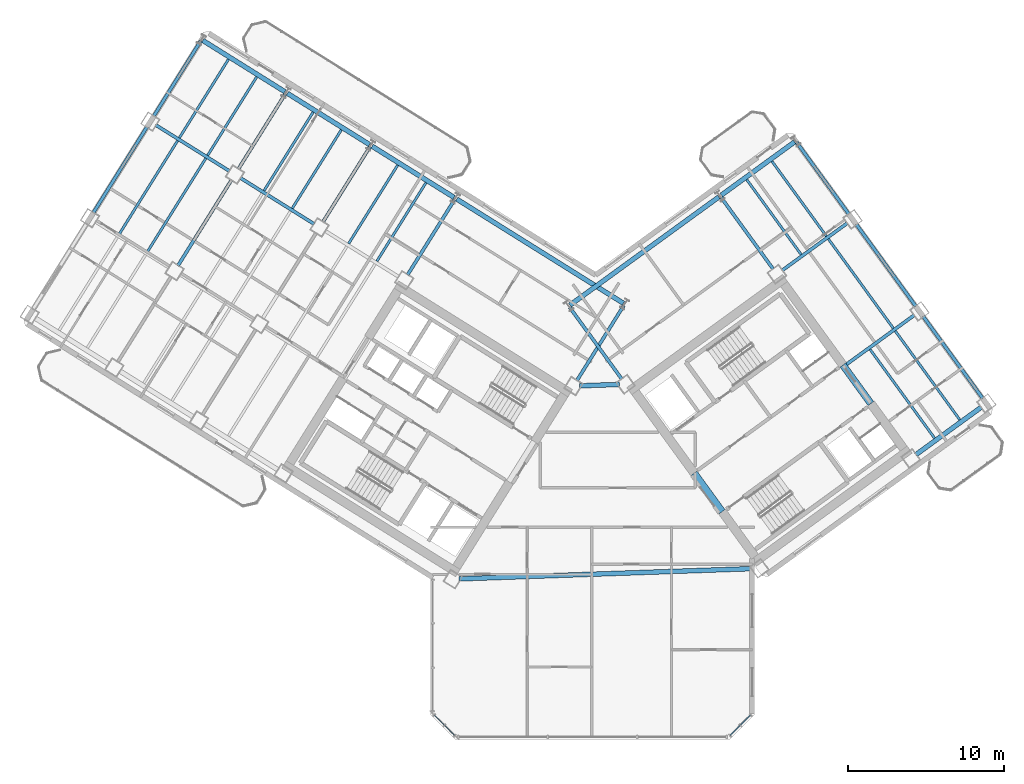
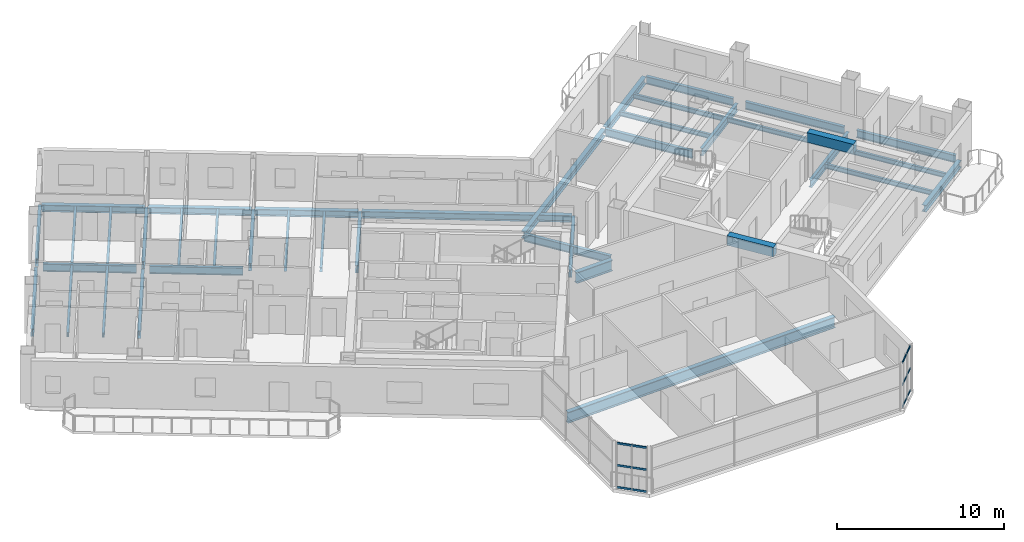
# One storey, part 7 of 20: 40 beams, 12 members, 2 elements without a shape of their own.
"""IFC4 building model written with IfcOpenShell, lengths in metres."""

from ifc_helpers import new_model, si_unit, direction, frame, origin, origin_2d, place, context, subcontext, project, spatial, rectangle, hollow_rectangle, i_section, extrude, source, transform, mapped, material, material_profile, profile_set, type_object, element, aggregate, save


model = new_model("IFC4")

# Units and contexts
model_context = context("Model", 3, precision=1e-05, world=origin(), true_north=direction((0.0, 1.0)))
body_context = subcontext(model_context, "Body", "Model", "MODEL_VIEW")
ifc_project = project(units=[si_unit("LENGTHUNIT", "METRE"), si_unit("AREAUNIT", "SQUARE_METRE"), si_unit("VOLUMEUNIT", "CUBIC_METRE"), si_unit("PLANEANGLEUNIT", "RADIAN"), si_unit("MASSUNIT", "GRAM", prefix="KILO")], contexts=[model_context])

# Site, building, storey
site_placement = place(None, origin())
site = spatial("IfcSite", under=ifc_project, at=site_placement, CompositionType="ELEMENT")
building_placement = place(site_placement, origin())
building = spatial("IfcBuilding", under=site, at=building_placement, Name="Tlacorven Tower", CompositionType="ELEMENT")
storey_placement = place(building_placement, frame((0.0, 0.0, 108.89990234375)))
storey = spatial("IfcBuildingStorey", under=building, at=storey_placement, Name="L27", CompositionType="ELEMENT", Elevation=108.89990234375)

# Beams
ifc_material_1 = material(Name="Concrete C60/75", Category="concrete")
ifc_material_profile_1 = material_profile(ifc_material_1, rectangle(XDim=0.449951171875, YDim=0.699951171875, at=origin_2d()), Name="RC 450X700")
ifc_profile_set_1 = profile_set([ifc_material_profile_1], Name="Concrete C60/75")
beam_type_1 = type_object("IfcBeamType", Name="BM-LNT-700", PredefinedType="LINTEL", material=ifc_profile_set_1)
shared_shape_1 = source(origin(), body_context, "Body", "SweptSolid", [
    extrude(rectangle(XDim=0.449951171875, YDim=0.699951171875, at=origin_2d()), origin(), (0.0, 0.0, 1.0), 3.050048828125),
])
for number, where, z_axis, x_axis, name in (
    (1, (50.318359375, 16.416015625, 3.0), (-0.587776590479, 0.80902328748, 0.0), (-0.80902328748, -0.587776590479, 0.0), "L27 E core coupling lintel beam E1"),
    (2, (59.856689453125, 23.345947265625, 3.0), (-0.587776590479, 0.80902328748, 0.0), (-0.80902328748, -0.587776590479, 0.0), "L27 E core coupling lintel beam E2"),
):
    element("IfcBeam", number, at=place(storey_placement, frame(where, z_axis=z_axis, x_axis=x_axis)), inside=storey, type_object=beam_type_1, Name=name, PredefinedType="LINTEL", context=body_context, shape_type="MappedRepresentation", body=[
        mapped(shared_shape_1, transform((0.0, 0.0, 0.0), scale=1.0)),
    ])
ifc_material_2 = material(Name="Steel S355J2", Category="steel")
ifc_material_profile_2 = material_profile(ifc_material_2, i_section(OverallWidth=0.300048828125, OverallDepth=0.489990234375, WebThickness=0.011962890625, FlangeThickness=0.02294921875, at=origin_2d()), Name="HEA 500")
ifc_profile_set_2 = profile_set([ifc_material_profile_2], Name="Steel S355J2")
beam_type_2 = type_object("IfcBeamType", Name="BM-SPN-500", PredefinedType="SPANDREL", material=ifc_profile_set_2)
shared_shape_2 = source(origin(), body_context, "Body", "SweptSolid", [
    extrude(i_section(OverallWidth=0.300048828125, OverallDepth=0.489990234375, WebThickness=0.011962890625, FlangeThickness=0.02294921875, at=origin_2d()), origin(), (0.0, 0.0, 1.0), 12.599853515625),
])
beam_1_placement = place(storey_placement, frame((43.983642578125, 29.779296875, -0.494873046875), z_axis=(-0.848045108756, 0.529924045043, 0.0), x_axis=(-0.529924045043, -0.848045108756, 0.0)))
element("IfcBeam", 3, at=beam_1_placement, inside=storey, type_object=beam_type_2, Name="L27 beam BM-L27-WL1-1", PredefinedType="SPANDREL", context=body_context, shape_type="MappedRepresentation", body=[
    mapped(shared_shape_2, transform((0.0, 0.0, 0.0), scale=1.0)),
])
shared_shape_3 = source(origin(), body_context, "Body", "SweptSolid", [
    extrude(i_section(OverallWidth=0.300048828125, OverallDepth=0.489990234375, WebThickness=0.011962890625, FlangeThickness=0.02294921875, at=origin_2d()), origin(), (0.0, 0.0, 1.0), 6.199951171875),
])
beam_2_placement = place(storey_placement, frame((33.128662109375, 36.562255859375, -0.494873046875), z_axis=(-0.848051394107, 0.529913986372, 0.0), x_axis=(-0.529913986372, -0.848051394107, 0.0)))
element("IfcBeam", 4, at=beam_2_placement, inside=storey, type_object=beam_type_2, Name="L27 beam BM-L27-WL1-3", PredefinedType="SPANDREL", context=body_context, shape_type="MappedRepresentation", body=[
    mapped(shared_shape_3, transform((0.0, 0.0, 0.0), scale=1.0)),
])
shared_shape_4 = source(origin(), body_context, "Body", "SweptSolid", [
    extrude(i_section(OverallWidth=0.300048828125, OverallDepth=0.489990234375, WebThickness=0.011962890625, FlangeThickness=0.02294921875, at=origin_2d()), origin(), (0.0, 0.0, 1.0), 11.800048828125),
])
beam_3_placement = place(storey_placement, frame((40.560302734375, 29.65966796875, -0.494873046875), z_axis=(0.80900977213, 0.587795192732, 0.0), x_axis=(-0.587795192732, 0.80900977213, 0.0)))
element("IfcBeam", 5, at=beam_3_placement, inside=storey, type_object=beam_type_2, Name="L27 beam BM-L27-EL4-1", PredefinedType="SPANDREL", context=body_context, shape_type="MappedRepresentation", body=[
    mapped(shared_shape_4, transform((0.0, 0.0, 0.0), scale=1.0)),
])
shared_shape_5 = source(origin(), body_context, "Body", "SweptSolid", [
    extrude(i_section(OverallWidth=0.300048828125, OverallDepth=0.489990234375, WebThickness=0.011962890625, FlangeThickness=0.02294921875, at=origin_2d()), origin(), (0.0, 0.0, 1.0), 5.800048828125),
])
beam_4_placement = place(storey_placement, frame((50.2685546875, 36.713134765625, -0.494873046875), z_axis=(0.809019944521, 0.587781191743, 0.0), x_axis=(-0.587781191743, 0.809019944521, 0.0)))
element("IfcBeam", 6, at=beam_4_placement, inside=storey, type_object=beam_type_2, Name="L27 beam BM-L27-EL4-3", PredefinedType="SPANDREL", context=body_context, shape_type="MappedRepresentation", body=[
    mapped(shared_shape_5, transform((0.0, 0.0, 0.0), scale=1.0)),
])
shared_shape_6 = source(origin(), body_context, "Body", "SweptSolid", [
    extrude(i_section(OverallWidth=0.300048828125, OverallDepth=0.489990234375, WebThickness=0.011962890625, FlangeThickness=0.02294921875, at=origin_2d()), origin(), (0.0, 0.0, 1.0), 6.2001953125),
])
for number, where, z_axis, x_axis, name in (
    (7, (27.701171875, 39.95361328125, -0.494873046875), (-0.84804475579, 0.5299246099, 0.0), (-0.5299246099, -0.84804475579, 0.0), "L27 beam BM-L27-WL1-4"),
    (8, (22.273681640625, 43.34521484375, -0.494873046875), (-0.848062451332, 0.529896290457, 0.0), (-0.529896290457, -0.848062451332, 0.0), "L27 beam BM-L27-WL1-5"),
):
    element("IfcBeam", number, at=place(storey_placement, frame(where, z_axis=z_axis, x_axis=x_axis)), inside=storey, type_object=beam_type_2, Name=name, PredefinedType="SPANDREL", context=body_context, shape_type="MappedRepresentation", body=[
        mapped(shared_shape_6, transform((0.0, 0.0, 0.0), scale=1.0)),
    ])
ifc_material_profile_3 = material_profile(ifc_material_2, i_section(OverallWidth=0.2099609375, OverallDepth=0.550048828125, WebThickness=0.010986328125, FlangeThickness=0.01708984375, at=origin_2d()), Name="IPE 550")
ifc_profile_set_3 = profile_set([ifc_material_profile_3], Name="Steel S355J2")
beam_type_3 = type_object("IfcBeamType", Name="BM-TWR-550", PredefinedType="BEAM", material=ifc_profile_set_3)
shared_shape_7 = source(origin(), body_context, "Body", "SweptSolid", [
    extrude(i_section(OverallWidth=0.2099609375, OverallDepth=0.550048828125, WebThickness=0.010986328125, FlangeThickness=0.01708984375, at=origin_2d()), origin(), (0.0, 0.0, 1.0), 5.599853515625),
])
for number, where, z_axis, x_axis, name in (
    (9, (24.1611328125, 34.854736328125, -0.52490234375), (-0.848047285686, 0.529920561254, 0.0), (-0.529920561254, -0.848047285686, 0.0), "L27 beam BM-L27-WL2-4"),
    (10, (18.733642578125, 38.246337890625, -0.52490234375), (-0.848047285686, 0.529920561254, 0.0), (-0.529920561254, -0.848047285686, 0.0), "L27 beam BM-L27-WL2-5"),
):
    element("IfcBeam", number, at=place(storey_placement, frame(where, z_axis=z_axis, x_axis=x_axis)), inside=storey, type_object=beam_type_3, Name=name, PredefinedType="BEAM", context=body_context, shape_type="MappedRepresentation", body=[
        mapped(shared_shape_7, transform((0.0, 0.0, 0.0), scale=1.0)),
    ])
shared_shape_8 = source(origin(), body_context, "Body", "SweptSolid", [
    extrude(i_section(OverallWidth=0.2099609375, OverallDepth=0.550048828125, WebThickness=0.010986328125, FlangeThickness=0.01708984375, at=origin_2d()), origin(), (0.0, 0.0, 1.0), 5.7001953125),
])
for number, where, z_axis, x_axis, name in (
    (11, (44.015380859375, 29.6416015625, -0.52490234375), (-0.529906537151, -0.848056048787, 0.0), (0.848056048787, -0.529906537151, 0.0), "L27 beam BM-L27-WT1-1"),
    (12, (33.160400390625, 36.424560546875, -0.52490234375), (-0.529906537151, -0.848056048787, 0.0), (0.848056048787, -0.529906537151, 0.0), "L27 beam BM-L27-WT3-1"),
    (13, (22.305419921875, 43.20751953125, -0.52490234375), (-0.529906537151, -0.848056048787, 0.0), (0.848056048787, -0.529906537151, 0.0), "L27 beam BM-L27-WT5-1"),
):
    element("IfcBeam", number, at=place(storey_placement, frame(where, z_axis=z_axis, x_axis=x_axis)), inside=storey, type_object=beam_type_3, Name=name, PredefinedType="BEAM", context=body_context, shape_type="MappedRepresentation", body=[
        mapped(shared_shape_8, transform((0.0, 0.0, 0.0), scale=1.0)),
    ])
shared_shape_9 = source(origin(), body_context, "Body", "SweptSolid", [
    extrude(i_section(OverallWidth=0.2099609375, OverallDepth=0.550048828125, WebThickness=0.010986328125, FlangeThickness=0.01708984375, at=origin_2d()), origin(), (0.0, 0.0, 1.0), 5.699951171875),
])
for number, where, z_axis, x_axis, name in (
    (14, (27.73291015625, 39.81591796875, -0.52490234375), (-0.529925785607, -0.848044021115, 0.0), (0.848044021115, -0.529925785607, 0.0), "L27 beam BM-L27-WT4-1"),
    (15, (16.8779296875, 46.598876953125, -0.52490234375), (-0.529925785607, -0.848044021115, 0.0), (0.848044021115, -0.529925785607, 0.0), "L27 beam BM-L27-WT6-1"),
    (16, (43.888671875, 24.90869140625, -0.52490234375), (-0.587787066966, 0.809015675935, 0.0), (-0.809015675935, -0.587787066966, 0.0), "L27 beam BM-L27-ET1-2"),
    (17, (53.596923828125, 31.962158203125, -0.52490234375), (-0.587787066966, 0.809015675935, 0.0), (-0.809015675935, -0.587787066966, 0.0), "L27 beam BM-L27-ET3-2"),
    (18, (58.450927734375, 35.48876953125, -0.52490234375), (-0.587787066966, 0.809015675935, 0.0), (-0.809015675935, -0.587787066966, 0.0), "L27 beam BM-L27-ET4-3"),
):
    element("IfcBeam", number, at=place(storey_placement, frame(where, z_axis=z_axis, x_axis=x_axis)), inside=storey, type_object=beam_type_3, Name=name, PredefinedType="BEAM", context=body_context, shape_type="MappedRepresentation", body=[
        mapped(shared_shape_9, transform((0.0, 0.0, 0.0), scale=1.0)),
    ])
shared_shape_10 = source(origin(), body_context, "Body", "SweptSolid", [
    extrude(i_section(OverallWidth=0.2099609375, OverallDepth=0.550048828125, WebThickness=0.010986328125, FlangeThickness=0.01708984375, at=origin_2d()), origin(), (0.0, 0.0, 1.0), 6.5),
])
for number, where, z_axis, x_axis, name in (
    (19, (13.433349609375, 41.086669921875, -0.52490234375), (-0.529894274829, -0.848063710757, 0.0), (0.848063710757, -0.529894274829, 0.0), "L27 beam BM-L27-WT6-2"),
    (20, (67.03271484375, 23.67724609375, -0.52490234375), (-0.587809847215, 0.808999124547, 0.0), (-0.808999124547, -0.587809847215, 0.0), "L27 beam BM-L27-ET4-1"),
    (21, (62.74169921875, 29.5830078125, -0.52490234375), (-0.587785264321, 0.809016985636, 0.0), (-0.809016985636, -0.587785264321, 0.0), "L27 beam BM-L27-ET4-2"),
):
    element("IfcBeam", number, at=place(storey_placement, frame(where, z_axis=z_axis, x_axis=x_axis)), inside=storey, type_object=beam_type_3, Name=name, PredefinedType="BEAM", context=body_context, shape_type="MappedRepresentation", body=[
        mapped(shared_shape_10, transform((0.0, 0.0, 0.0), scale=1.0)),
    ])
shared_shape_11 = source(origin(), body_context, "Body", "SweptSolid", [
    extrude(i_section(OverallWidth=0.2099609375, OverallDepth=0.550048828125, WebThickness=0.010986328125, FlangeThickness=0.01708984375, at=origin_2d()), origin(), (0.0, 0.0, 1.0), 6.499755859375),
])
beam_5_placement = place(storey_placement, frame((18.86083984375, 37.695068359375, -0.52490234375), z_axis=(-0.529911154058, -0.848053163902, 0.0), x_axis=(0.848053163902, -0.529911154058, 0.0)))
element("IfcBeam", 22, at=beam_5_placement, inside=storey, type_object=beam_type_3, Name="L27 beam BM-L27-WT5-2", PredefinedType="BEAM", context=body_context, shape_type="MappedRepresentation", body=[
    mapped(shared_shape_11, transform((0.0, 0.0, 0.0), scale=1.0)),
])
shared_shape_12 = source(origin(), body_context, "Body", "SweptSolid", [
    extrude(i_section(OverallWidth=0.300048828125, OverallDepth=0.489990234375, WebThickness=0.011962890625, FlangeThickness=0.02294921875, at=origin_2d()), origin(), (0.0, 0.0, 1.0), 5.199951171875),
])
beam_6_placement = place(storey_placement, frame((62.7373046875, 20.06201171875, -0.494873046875), z_axis=(0.809018206713, 0.587783583648, 0.0), x_axis=(-0.587783583648, 0.809018206713, 0.0)))
element("IfcBeam", 23, at=beam_6_placement, inside=storey, type_object=beam_type_2, Name="L27 beam BM-L27-EL1-3", PredefinedType="SPANDREL", context=body_context, shape_type="MappedRepresentation", body=[
    mapped(shared_shape_12, transform((0.0, 0.0, 0.0), scale=1.0)),
])
shared_shape_13 = source(origin(), body_context, "Body", "SweptSolid", [
    extrude(i_section(OverallWidth=0.2099609375, OverallDepth=0.550048828125, WebThickness=0.010986328125, FlangeThickness=0.01708984375, at=origin_2d()), origin(), (0.0, 0.0, 1.0), 5.56005859375),
])
beam_7_placement = place(storey_placement, frame((58.155029296875, 25.756103515625, -0.52490234375), z_axis=(0.809028396397, 0.587769558435, 0.0), x_axis=(-0.587769558435, 0.809028396397, 0.0)))
element("IfcBeam", 24, at=beam_7_placement, inside=storey, type_object=beam_type_3, Name="L27 beam BM-L27-EL2-3", PredefinedType="BEAM", context=body_context, shape_type="MappedRepresentation", body=[
    mapped(shared_shape_13, transform((0.0, 0.0, 0.0), scale=1.0)),
])
shared_shape_14 = source(origin(), body_context, "Body", "SweptSolid", [
    extrude(i_section(OverallWidth=0.2099609375, OverallDepth=0.550048828125, WebThickness=0.010986328125, FlangeThickness=0.01708984375, at=origin_2d()), origin(), (0.0, 0.0, 1.0), 5.2001953125),
])
beam_8_placement = place(storey_placement, frame((54.155517578125, 31.87353515625, -0.52490234375), z_axis=(0.80901210161, 0.587791986546, 0.0), x_axis=(-0.587791986546, 0.80901210161, 0.0)))
element("IfcBeam", 25, at=beam_8_placement, inside=storey, type_object=beam_type_3, Name="L27 beam BM-L27-EL3-3", PredefinedType="BEAM", context=body_context, shape_type="MappedRepresentation", body=[
    mapped(shared_shape_14, transform((0.0, 0.0, 0.0), scale=1.0)),
])
ifc_material_profile_4 = material_profile(ifc_material_2, i_section(OverallWidth=0.300048828125, OverallDepth=0.800048828125, WebThickness=0.017578125, FlangeThickness=0.032958984375, at=origin_2d()), Name="HEB 800")
ifc_profile_set_4 = profile_set([ifc_material_profile_4], Name="Steel S355J2")
beam_type_4 = type_object("IfcBeamType", Name="BM-POD-800", PredefinedType="BEAM", material=ifc_profile_set_4)
shared_shape_15 = source(origin(), body_context, "Body", "SweptSolid", [
    extrude(i_section(OverallWidth=0.300048828125, OverallDepth=0.800048828125, WebThickness=0.017578125, FlangeThickness=0.032958984375, at=origin_2d()), origin(), (0.0, 0.0, 1.0), 2.542724609375),
])
beam_9_placement = place(storey_placement, frame((41.1826171875, 24.482421875, -0.64990234375), z_axis=(0.999392467766, 0.034852480142, 0.0), x_axis=(-0.034852480142, 0.999392467766, 0.0)))
element("IfcBeam", 26, at=beam_9_placement, inside=storey, type_object=beam_type_4, Name="L27 Knuckle Link Girder 1", PredefinedType="BEAM", context=body_context, shape_type="MappedRepresentation", body=[
    mapped(shared_shape_15, transform((0.0, 0.0, 0.0), scale=1.0)),
])
shared_shape_16 = source(origin(), body_context, "Body", "SweptSolid", [
    extrude(i_section(OverallWidth=0.300048828125, OverallDepth=0.800048828125, WebThickness=0.017578125, FlangeThickness=0.032958984375, at=origin_2d()), origin(), (0.0, 0.0, 1.0), 18.871337890625),
])
beam_10_placement = place(storey_placement, frame((33.44580078125, 12.100830078125, -0.64990234375), z_axis=(0.999390659804, 0.034904284792, 0.0), x_axis=(-0.034904284792, 0.999390659804, 0.0)))
element("IfcBeam", 27, at=beam_10_placement, inside=storey, type_object=beam_type_4, Name="L27 Knuckle Link Girder 2", PredefinedType="BEAM", context=body_context, shape_type="MappedRepresentation", body=[
    mapped(shared_shape_16, transform((0.0, 0.0, 0.0), scale=1.0)),
])
ifc_material_profile_5 = material_profile(ifc_material_2, i_section(OverallWidth=0.159912109375, OverallDepth=0.330078125, WebThickness=0.007568359375, FlangeThickness=0.011474609375, at=origin_2d()), Name="IPE 330")
ifc_profile_set_5 = profile_set([ifc_material_profile_5], Name="Steel S355J2")
beam_type_5 = type_object("IfcBeamType", Name="BM-JST-330", PredefinedType="JOIST", material=ifc_profile_set_5)
shared_shape_17 = source(origin(), body_context, "Body", "SweptSolid", [
    extrude(i_section(OverallWidth=0.159912109375, OverallDepth=0.330078125, WebThickness=0.007568359375, FlangeThickness=0.011474609375, at=origin_2d()), origin(), (0.0, 0.0, 1.0), 5.93505859375),
])
for number, where, z_axis, x_axis, name in (
    (28, (31.322265625, 37.50830078125, -0.414794921875), (-0.529939778535, -0.848035277053, 0.0), (0.848035277053, -0.529939778535, 0.0), "L27 beam BM-L27-WJ3-1-1"),
    (29, (29.512939453125, 38.638916015625, -0.414794921875), (-0.529910194899, -0.848053763238, 0.0), (0.848053763238, -0.529910194899, 0.0), "L27 beam BM-L27-WJ3-1-2"),
    (30, (24.08544921875, 42.0302734375, -0.414794921875), (-0.529910194899, -0.848053763238, 0.0), (0.848053763238, -0.529910194899, 0.0), "L27 beam BM-L27-WJ4-1-2"),
    (31, (20.467041015625, 44.291259765625, -0.414794921875), (-0.529910194899, -0.848053763238, 0.0), (0.848053763238, -0.529910194899, 0.0), "L27 beam BM-L27-WJ5-1-1"),
    (32, (18.657958984375, 45.421875, -0.414794921875), (-0.529910194899, -0.848053763238, 0.0), (0.848053763238, -0.529910194899, 0.0), "L27 beam BM-L27-WJ5-1-2"),
    (33, (55.38525390625, 32.903076171875, -0.414794921875), (-0.58778762431, 0.809015270998, 0.0), (-0.809015270998, -0.58778762431, 0.0), "L27 beam BM-L27-EJ3-3-1"),
    (34, (57.00341796875, 34.07861328125, -0.414794921875), (-0.58778762431, 0.809015270998, 0.0), (-0.809015270998, -0.58778762431, 0.0), "L27 beam BM-L27-EJ3-3-2"),
):
    element("IfcBeam", number, at=place(storey_placement, frame(where, z_axis=z_axis, x_axis=x_axis)), inside=storey, type_object=beam_type_5, Name=name, PredefinedType="JOIST", context=body_context, shape_type="MappedRepresentation", body=[
        mapped(shared_shape_17, transform((0.0, 0.0, 0.0), scale=1.0)),
    ])
shared_shape_18 = source(origin(), body_context, "Body", "SweptSolid", [
    extrude(i_section(OverallWidth=0.159912109375, OverallDepth=0.330078125, WebThickness=0.007568359375, FlangeThickness=0.011474609375, at=origin_2d()), origin(), (0.0, 0.0, 1.0), 7.080078125),
])
for number, where, z_axis, x_axis, name in (
    (35, (17.20556640625, 39.071533203125, -0.414794921875), (-0.529933847046, -0.848038983629, 0.0), (0.848038983629, -0.529933847046, 0.0), "L27 beam BM-L27-WJ5-2-1"),
    (36, (15.396240234375, 40.2021484375, -0.414794921875), (-0.529893550998, -0.848064163027, 0.0), (0.848064163027, -0.529893550998, 0.0), "L27 beam BM-L27-WJ5-2-2"),
    (37, (61.294189453125, 28.1728515625, -0.414794921875), (-0.587798472288, 0.809007389321, 0.0), (-0.809007389321, -0.587798472288, 0.0), "L27 beam BM-L27-EJ3-2-2"),
):
    element("IfcBeam", number, at=place(storey_placement, frame(where, z_axis=z_axis, x_axis=x_axis)), inside=storey, type_object=beam_type_5, Name=name, PredefinedType="JOIST", context=body_context, shape_type="MappedRepresentation", body=[
        mapped(shared_shape_18, transform((0.0, 0.0, 0.0), scale=1.0)),
    ])
shared_shape_19 = source(origin(), body_context, "Body", "SweptSolid", [
    extrude(i_section(OverallWidth=0.159912109375, OverallDepth=0.330078125, WebThickness=0.007568359375, FlangeThickness=0.011474609375, at=origin_2d()), origin(), (0.0, 0.0, 1.0), 7.03515625),
])
beam_11_placement = place(storey_placement, frame((63.9404296875, 21.127685546875, -0.414794921875), z_axis=(-0.58776512903, 0.809031614399, 0.0), x_axis=(-0.809031614399, -0.58776512903, 0.0)))
element("IfcBeam", 38, at=beam_11_placement, inside=storey, type_object=beam_type_5, Name="L27 beam BM-L27-EJ3-1-1", PredefinedType="JOIST", context=body_context, shape_type="MappedRepresentation", body=[
    mapped(shared_shape_19, transform((0.0, 0.0, 0.0), scale=1.0)),
])
shared_shape_20 = source(origin(), body_context, "Body", "SweptSolid", [
    extrude(i_section(OverallWidth=0.159912109375, OverallDepth=0.330078125, WebThickness=0.007568359375, FlangeThickness=0.011474609375, at=origin_2d()), origin(), (0.0, 0.0, 1.0), 5.934814453125),
])
beam_12_placement = place(storey_placement, frame((25.894775390625, 40.899658203125, -0.414794921875), z_axis=(-0.529958265352, -0.848023724306, 0.0), x_axis=(0.848023724306, -0.529958265352, 0.0)))
element("IfcBeam", 39, at=beam_12_placement, inside=storey, type_object=beam_type_5, Name="L27 beam BM-L27-WJ4-1-1", PredefinedType="JOIST", context=body_context, shape_type="MappedRepresentation", body=[
    mapped(shared_shape_20, transform((0.0, 0.0, 0.0), scale=1.0)),
])
shared_shape_21 = source(origin(), body_context, "Body", "SweptSolid", [
    extrude(i_section(OverallWidth=0.159912109375, OverallDepth=0.330078125, WebThickness=0.007568359375, FlangeThickness=0.011474609375, at=origin_2d()), origin(), (0.0, 0.0, 1.0), 7.034912109375),
])
beam_13_placement = place(storey_placement, frame((65.55859375, 22.303466796875, -0.414794921875), z_axis=(-0.587781631373, 0.809019625115, 0.0), x_axis=(-0.809019625115, -0.587781631373, 0.0)))
element("IfcBeam", 40, at=beam_13_placement, inside=storey, type_object=beam_type_5, Name="L27 beam BM-L27-EJ3-1-2", PredefinedType="JOIST", context=body_context, shape_type="MappedRepresentation", body=[
    mapped(shared_shape_21, transform((0.0, 0.0, 0.0), scale=1.0)),
])

# Curtain wall, members
ifc_material_3 = material(Name="Dark solar low-E double glazing in aluminium frame", Category="aluminium")
curtain_wall_type = type_object("IfcCurtainWallType", Name="CW-TWR-MID", PredefinedType="USERDEFINED", material=ifc_material_3)
curtain_wall_1_placement = place(storey_placement, origin())
curtain_wall_1 = element("IfcCurtainWall", 41, at=curtain_wall_1_placement, inside=storey, type_object=curtain_wall_type, Name="L27 CW-TWR-MID Curtain Wall 135", ObjectType="UNITISED CURTAIN WALL", PredefinedType="USERDEFINED")
ifc_material_4 = material(Name="Aluminium 6063-T6 anodised", Category="aluminium")
ifc_material_profile_6 = material_profile(ifc_material_4, hollow_rectangle(XDim=0.06005859375, YDim=0.139892578125, WallThickness=0.00390625, at=origin_2d()), Name="ALU TRANSOM 60X140")
ifc_profile_set_6 = profile_set([ifc_material_profile_6], Name="Aluminium 6063-T6 anodised")
member_type = type_object("IfcMemberType", Name="CWT-02", PredefinedType="USERDEFINED", material=ifc_profile_set_6)
shared_shape_22 = source(origin(), body_context, "Body", "SweptSolid", [
    extrude(hollow_rectangle(XDim=0.06005859375, YDim=0.139892578125, WallThickness=0.00390625, at=origin_2d()), origin(), (0.0, 0.0, 1.0), 0.8916015625),
])
member_1_placement = place(storey_placement, frame((52.1318359375, 3.358154296875, 0.070068359375), z_axis=(-0.706969864397, -0.70724367147, 0.0), x_axis=(0.70724367147, -0.706969864397, 0.0)))
member_1 = element("IfcMember", 42, at=member_1_placement, type_object=member_type, Name="CW-L27-135 Transom 1", ObjectType="TRANSOM", PredefinedType="USERDEFINED", context=body_context, shape_type="MappedRepresentation", body=[
    mapped(shared_shape_22, transform((0.0, 0.0, 0.0), scale=1.0)),
])
member_2_placement = place(storey_placement, frame((52.1318359375, 3.358154296875, 1.675048828125), z_axis=(-0.706969864397, -0.70724367147, 0.0), x_axis=(0.70724367147, -0.706969864397, 0.0)))
member_2 = element("IfcMember", 43, at=member_2_placement, type_object=member_type, Name="CW-L27-135 Transom 2", ObjectType="TRANSOM", PredefinedType="USERDEFINED", context=body_context, shape_type="MappedRepresentation", body=[
    mapped(shared_shape_22, transform((0.0, 0.0, 0.0), scale=1.0)),
])
member_3_placement = place(storey_placement, frame((52.1318359375, 3.358154296875, 3.280029296875), z_axis=(-0.706969864397, -0.70724367147, 0.0), x_axis=(0.70724367147, -0.706969864397, 0.0)))
member_3 = element("IfcMember", 44, at=member_3_placement, type_object=member_type, Name="CW-L27-135 Transom 3", ObjectType="TRANSOM", PredefinedType="USERDEFINED", context=body_context, shape_type="MappedRepresentation", body=[
    mapped(shared_shape_22, transform((0.0, 0.0, 0.0), scale=1.0)),
])

curtain_wall_2_placement = place(storey_placement, origin())
curtain_wall_2 = element("IfcCurtainWall", 45, at=curtain_wall_2_placement, inside=storey, type_object=curtain_wall_type, Name="L27 CW-TWR-MID Curtain Wall 137", ObjectType="UNITISED CURTAIN WALL", PredefinedType="USERDEFINED")
member_4_placement = place(storey_placement, frame((32.49853515625, 2.7275390625, 0.070068359375), z_axis=(-0.706969864397, 0.70724367147, 0.0), x_axis=(-0.70724367147, -0.706969864397, 0.0)))
member_4 = element("IfcMember", 46, at=member_4_placement, type_object=member_type, Name="CW-L27-137 Transom 4", ObjectType="TRANSOM", PredefinedType="USERDEFINED", context=body_context, shape_type="MappedRepresentation", body=[
    mapped(shared_shape_22, transform((0.0, 0.0, 0.0), scale=1.0)),
])
member_5_placement = place(storey_placement, frame((32.49853515625, 2.7275390625, 1.675048828125), z_axis=(-0.706969864397, 0.70724367147, 0.0), x_axis=(-0.70724367147, -0.706969864397, 0.0)))
member_5 = element("IfcMember", 47, at=member_5_placement, type_object=member_type, Name="CW-L27-137 Transom 5", ObjectType="TRANSOM", PredefinedType="USERDEFINED", context=body_context, shape_type="MappedRepresentation", body=[
    mapped(shared_shape_22, transform((0.0, 0.0, 0.0), scale=1.0)),
])
member_6_placement = place(storey_placement, frame((32.49853515625, 2.7275390625, 3.280029296875), z_axis=(-0.706969864397, 0.70724367147, 0.0), x_axis=(-0.70724367147, -0.706969864397, 0.0)))
member_6 = element("IfcMember", 48, at=member_6_placement, type_object=member_type, Name="CW-L27-137 Transom 6", ObjectType="TRANSOM", PredefinedType="USERDEFINED", context=body_context, shape_type="MappedRepresentation", body=[
    mapped(shared_shape_22, transform((0.0, 0.0, 0.0), scale=1.0)),
])

# Member
shared_shape_23 = source(origin(), body_context, "Body", "SweptSolid", [
    extrude(hollow_rectangle(XDim=0.06005859375, YDim=0.139892578125, WallThickness=0.00390625, at=origin_2d()), origin(), (0.0, 0.0, 1.0), 0.891845703125),
])
member_7_placement = place(storey_placement, frame((51.472412109375, 2.69873046875, 0.070068359375), z_axis=(-0.707106781187, -0.707106781187, 0.0), x_axis=(0.707106781187, -0.707106781187, 0.0)))
member_7 = element("IfcMember", 49, at=member_7_placement, type_object=member_type, Name="CW-L27-135 Transom 4", ObjectType="TRANSOM", PredefinedType="USERDEFINED", context=body_context, shape_type="MappedRepresentation", body=[
    mapped(shared_shape_23, transform((0.0, 0.0, 0.0), scale=1.0)),
])

member_8_placement = place(storey_placement, frame((51.472412109375, 2.69873046875, 1.675048828125), z_axis=(-0.707106781187, -0.707106781187, 0.0), x_axis=(0.707106781187, -0.707106781187, 0.0)))
member_8 = element("IfcMember", 50, at=member_8_placement, type_object=member_type, Name="CW-L27-135 Transom 5", ObjectType="TRANSOM", PredefinedType="USERDEFINED", context=body_context, shape_type="MappedRepresentation", body=[
    mapped(shared_shape_23, transform((0.0, 0.0, 0.0), scale=1.0)),
])

member_9_placement = place(storey_placement, frame((51.472412109375, 2.69873046875, 3.280029296875), z_axis=(-0.707106781187, -0.707106781187, 0.0), x_axis=(0.707106781187, -0.707106781187, 0.0)))
member_9 = element("IfcMember", 51, at=member_9_placement, type_object=member_type, Name="CW-L27-135 Transom 6", ObjectType="TRANSOM", PredefinedType="USERDEFINED", context=body_context, shape_type="MappedRepresentation", body=[
    mapped(shared_shape_23, transform((0.0, 0.0, 0.0), scale=1.0)),
])

aggregate(curtain_wall_1, [member_1, member_2, member_3, member_7, member_8, member_9])

member_10_placement = place(storey_placement, frame((33.158203125, 2.068115234375, 0.070068359375), z_axis=(-0.707106781187, 0.707106781187, 0.0), x_axis=(-0.707106781187, -0.707106781187, 0.0)))
member_10 = element("IfcMember", 52, at=member_10_placement, type_object=member_type, Name="CW-L27-137 Transom 1", ObjectType="TRANSOM", PredefinedType="USERDEFINED", context=body_context, shape_type="MappedRepresentation", body=[
    mapped(shared_shape_23, transform((0.0, 0.0, 0.0), scale=1.0)),
])

member_11_placement = place(storey_placement, frame((33.158203125, 2.068115234375, 1.675048828125), z_axis=(-0.707106781187, 0.707106781187, 0.0), x_axis=(-0.707106781187, -0.707106781187, 0.0)))
member_11 = element("IfcMember", 53, at=member_11_placement, type_object=member_type, Name="CW-L27-137 Transom 2", ObjectType="TRANSOM", PredefinedType="USERDEFINED", context=body_context, shape_type="MappedRepresentation", body=[
    mapped(shared_shape_23, transform((0.0, 0.0, 0.0), scale=1.0)),
])

member_12_placement = place(storey_placement, frame((33.158203125, 2.068115234375, 3.280029296875), z_axis=(-0.707106781187, 0.707106781187, 0.0), x_axis=(-0.707106781187, -0.707106781187, 0.0)))
member_12 = element("IfcMember", 54, at=member_12_placement, type_object=member_type, Name="CW-L27-137 Transom 3", ObjectType="TRANSOM", PredefinedType="USERDEFINED", context=body_context, shape_type="MappedRepresentation", body=[
    mapped(shared_shape_23, transform((0.0, 0.0, 0.0), scale=1.0)),
])

aggregate(curtain_wall_2, [member_10, member_11, member_12, member_4, member_5, member_6])

save(model, "model.ifc")
